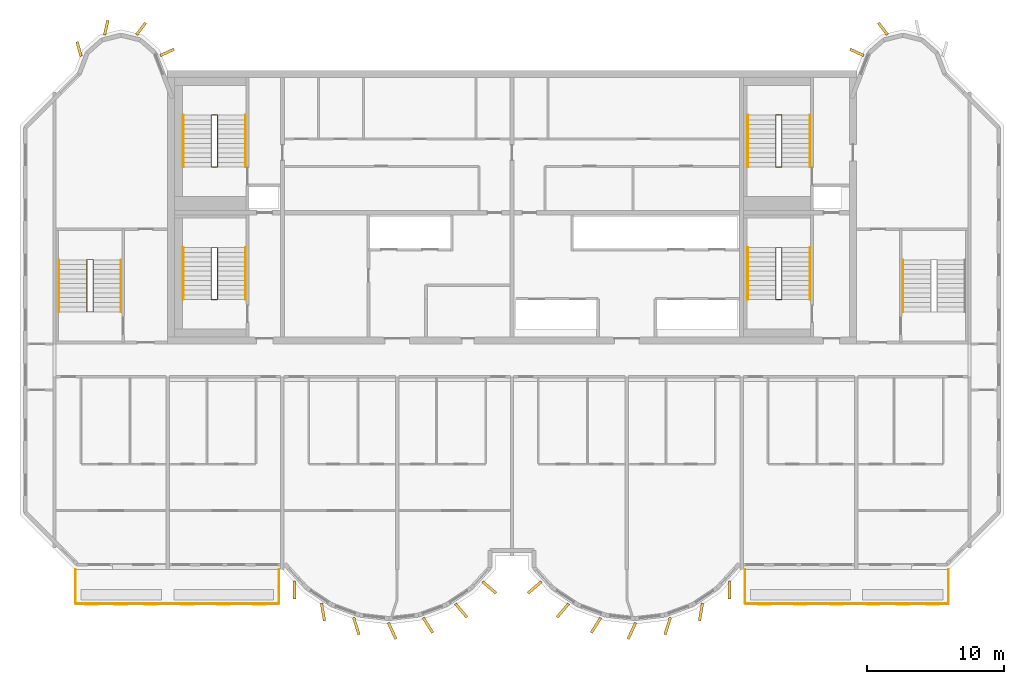
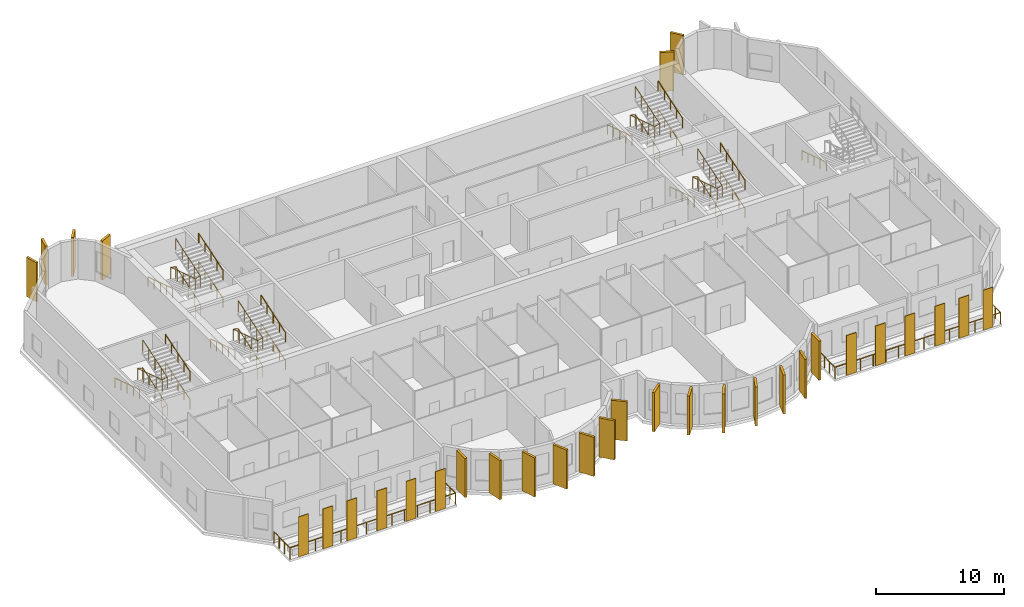
# One storey, part 10 of 12: 32 coverings, 23 railings.
"""IFC4 building model written with IfcOpenShell, lengths in metres."""

from ifc_helpers import new_model, si_unit, direction, frame, origin, origin_2d, place, context, subcontext, project, spatial, rectangle, circle, extrude, source, transform, mapped, material, layer, layer_set, material_profile, profile_set, type_object, element, save


model = new_model("IFC4")

# Units and contexts
model_context = context("Model", 3, precision=1e-05, world=origin(), true_north=direction((0.0, 1.0)))
body_context = subcontext(model_context, "Body", "Model", "MODEL_VIEW")
ifc_project = project(units=[si_unit("LENGTHUNIT", "METRE"), si_unit("AREAUNIT", "SQUARE_METRE"), si_unit("VOLUMEUNIT", "CUBIC_METRE"), si_unit("PLANEANGLEUNIT", "RADIAN"), si_unit("MASSUNIT", "GRAM", prefix="KILO")], contexts=[model_context])

# Site, building, storey
site_placement = place(None, origin())
site = spatial("IfcSite", under=ifc_project, at=site_placement, CompositionType="ELEMENT")
building_placement = place(site_placement, origin())
building = spatial("IfcBuilding", under=site, at=building_placement, Name="Vanashikhar Sky Hotel", CompositionType="ELEMENT")
storey_placement = place(building_placement, frame((0.0, 0.0, 281.699951171875)))
storey = spatial("IfcBuildingStorey", under=building, at=storey_placement, Name="L67", CompositionType="ELEMENT", Elevation=281.699951171875)

# Railings
ifc_material_1 = material(Name="Stainless steel 316", Category="steel")
railing_type_1 = type_object("IfcRailingType", Name="Balcony guard 1100", PredefinedType="GUARDRAIL", material=ifc_material_1)
shared_shape_1 = source(origin(), body_context, "Body", "SweptSolid", [
    extrude(circle(Radius=0.02392578125, at=origin_2d()), frame((0.0, 0.0, 1.076171875), z_axis=(0.0, -1.0, 0.0), x_axis=(1.0, 0.0, 0.0)), (0.0, 0.0, 1.0), 2.5),
    extrude(circle(Radius=0.02392578125, at=origin_2d()), frame((0.0, -2.5, 1.076171875), z_axis=(1.0, 0.0, 0.0), x_axis=(0.0, 1.0, 0.0)), (0.0, 0.0, 1.0), 14.880126953125),
    extrude(circle(Radius=0.02392578125, at=origin_2d()), frame((14.880126953125, -2.5, 1.076171875), z_axis=(0.0, 1.0, 0.0), x_axis=(-1.0, 0.0, 0.0)), (0.0, 0.0, 1.0), 2.5),
    extrude(circle(Radius=0.02099609375, at=origin_2d()), origin(), (0.0, 0.0, 1.0), 1.052001953125),
    extrude(circle(Radius=0.02099609375, at=origin_2d()), frame((0.0, -0.833251953125, 0.0)), (0.0, 0.0, 1.0), 1.052001953125),
    extrude(circle(Radius=0.02099609375, at=origin_2d()), frame((0.0, -1.666748046875, 0.0)), (0.0, 0.0, 1.0), 1.052001953125),
    extrude(circle(Radius=0.02099609375, at=origin_2d()), frame((0.0, -2.5, 0.0)), (0.0, 0.0, 1.0), 1.052001953125),
    extrude(circle(Radius=0.02099609375, at=origin_2d()), frame((1.14453125, -2.5, 0.0)), (0.0, 0.0, 1.0), 1.052001953125),
    extrude(circle(Radius=0.02099609375, at=origin_2d()), frame((2.289306640625, -2.5, 0.0)), (0.0, 0.0, 1.0), 1.052001953125),
    extrude(circle(Radius=0.02099609375, at=origin_2d()), frame((3.433837890625, -2.5, 0.0)), (0.0, 0.0, 1.0), 1.052001953125),
    extrude(circle(Radius=0.02099609375, at=origin_2d()), frame((4.57861328125, -2.5, 0.0)), (0.0, 0.0, 1.0), 1.052001953125),
    extrude(circle(Radius=0.02099609375, at=origin_2d()), frame((5.72314453125, -2.5, 0.0)), (0.0, 0.0, 1.0), 1.052001953125),
    extrude(circle(Radius=0.02099609375, at=origin_2d()), frame((6.86767578125, -2.5, 0.0)), (0.0, 0.0, 1.0), 1.052001953125),
    extrude(circle(Radius=0.02099609375, at=origin_2d()), frame((8.012451171875, -2.5, 0.0)), (0.0, 0.0, 1.0), 1.052001953125),
    extrude(circle(Radius=0.02099609375, at=origin_2d()), frame((9.156982421875, -2.5, 0.0)), (0.0, 0.0, 1.0), 1.052001953125),
    extrude(circle(Radius=0.02099609375, at=origin_2d()), frame((10.301513671875, -2.5, 0.0)), (0.0, 0.0, 1.0), 1.052001953125),
    extrude(circle(Radius=0.02099609375, at=origin_2d()), frame((11.4462890625, -2.5, 0.0)), (0.0, 0.0, 1.0), 1.052001953125),
    extrude(circle(Radius=0.02099609375, at=origin_2d()), frame((12.5908203125, -2.5, 0.0)), (0.0, 0.0, 1.0), 1.052001953125),
    extrude(circle(Radius=0.02099609375, at=origin_2d()), frame((13.735595703125, -2.5, 0.0)), (0.0, 0.0, 1.0), 1.052001953125),
    extrude(circle(Radius=0.02099609375, at=origin_2d()), frame((14.880126953125, -2.5, 0.0)), (0.0, 0.0, 1.0), 1.052001953125),
    extrude(circle(Radius=0.02099609375, at=origin_2d()), frame((14.880126953125, -1.666748046875, 0.0)), (0.0, 0.0, 1.0), 1.052001953125),
    extrude(circle(Radius=0.02099609375, at=origin_2d()), frame((14.880126953125, -0.833251953125, 0.0)), (0.0, 0.0, 1.0), 1.052001953125),
    extrude(circle(Radius=0.02099609375, at=origin_2d()), frame((14.880126953125, 0.0, 0.0)), (0.0, 0.0, 1.0), 1.052001953125),
])
for number, where, name in (
    (1, (18.4599609375, 5.5, -0.050048828125), "Balcony guard"),
    (2, (67.4599609375, 5.5, -0.050048828125), "Balcony guard"),
):
    element("IfcRailing", number, at=place(storey_placement, frame(where)), inside=storey, type_object=railing_type_1, Name=name, PredefinedType="GUARDRAIL", context=body_context, shape_type="MappedRepresentation", body=[
        mapped(shared_shape_1, transform((0.0, 0.0, 0.0), scale=1.0)),
    ])

# Coverings
ifc_material_2 = material(Name="Terracotta", Category="masonry")
ifc_layer = layer(ifc_material_2, 0.06005859375)
ifc_layer_set = layer_set([ifc_layer], Name="Terracotta baguette screen")
covering_type_1 = type_object("IfcCoveringType", Name="Terracotta baguette screen", PredefinedType="CLADDING", material=ifc_layer_set)
shared_shape_2 = source(origin(), body_context, "Body", "SweptSolid", [
    extrude(rectangle(XDim=0.89990234375, YDim=0.06005859375, at=origin_2d()), origin(), (0.0, 0.0, 1.0), 3.800048828125),
])
for number, where, z_axis, x_axis, name in (
    (3, (19.63330078125, 2.929931640625, -0.0498046875), (0.0, 0.0, 1.0), (1.0, 0.0, 0.0), "Terracotta screen"),
    (4, (21.800048828125, 2.929931640625, -0.0498046875), (0.0, 0.0, 1.0), (1.0, 0.0, 0.0), "Terracotta screen"),
    (5, (23.966796875, 2.929931640625, -0.0498046875), (0.0, 0.0, 1.0), (1.0, 0.0, 0.0), "Terracotta screen"),
    (6, (26.666748046875, 2.929931640625, -0.0498046875), (0.0, 0.0, 1.0), (1.0, 0.0, 0.0), "Terracotta screen"),
    (7, (29.300048828125, 2.929931640625, -0.0498046875), (0.0, 0.0, 1.0), (1.0, 0.0, 0.0), "Terracotta screen"),
    (8, (31.933349609375, 2.929931640625, -0.0498046875), (0.0, 0.0, 1.0), (1.0, 0.0, 0.0), "Terracotta screen"),
    (9, (68.86669921875, 2.929931640625, -0.0498046875), (0.0, 0.0, 1.0), (1.0, 0.0, 0.0), "Terracotta screen"),
    (10, (71.5, 2.929931640625, -0.0498046875), (0.0, 0.0, 1.0), (1.0, 0.0, 0.0), "Terracotta screen"),
    (11, (74.13330078125, 2.929931640625, -0.0498046875), (0.0, 0.0, 1.0), (1.0, 0.0, 0.0), "Terracotta screen"),
    (12, (76.833251953125, 2.929931640625, -0.0498046875), (0.0, 0.0, 1.0), (1.0, 0.0, 0.0), "Terracotta screen"),
    (13, (79.0, 2.929931640625, -0.0498046875), (0.0, 0.0, 1.0), (1.0, 0.0, 0.0), "Terracotta screen"),
    (14, (81.166748046875, 2.929931640625, -0.0498046875), (0.0, 0.0, 1.0), (1.0, 0.0, 0.0), "Terracotta screen"),
):
    element("IfcCovering", number, at=place(storey_placement, frame(where, z_axis=z_axis, x_axis=x_axis)), inside=storey, type_object=covering_type_1, Name=name, PredefinedType="CLADDING", context=body_context, shape_type="MappedRepresentation", body=[
        mapped(shared_shape_2, transform((0.0, 0.0, 0.0), scale=1.0)),
    ])
ifc_material_3 = material(Name="Concrete M60 dark", Category="concrete")
ifc_material_profile_1 = material_profile(ifc_material_3, rectangle(XDim=1.300048828125, YDim=0.199951171875, at=origin_2d()))
ifc_profile_set_1 = profile_set([ifc_material_profile_1], Name="Fin 1300 x 200")
covering_type_2 = type_object("IfcCoveringType", Name="Fin 1300 x 200", PredefinedType="CLADDING", material=ifc_profile_set_1)
shared_shape_3 = source(origin(), body_context, "Body", "SweptSolid", [
    extrude(rectangle(XDim=1.300048828125, YDim=0.199951171875, at=origin_2d()), origin(), (0.0, 0.0, 1.0), 3.719970703125),
])
for number, where, z_axis, x_axis, name in (
    (15, (34.482421875, 3.992919921875, 0.0), (0.0, 0.0, 1.0), (0.011588726826, -0.999932848451, 0.0), "Fin F1-1"),
    (16, (36.572509765625, 2.3779296875, 0.0), (0.0, 0.0, 1.0), (0.16989991575, -0.985461322746, 0.0), "Fin F1-2"),
    (17, (39.00830078125, 1.35693359375, 0.0), (0.0, 0.0, 1.0), (0.303966551867, -0.952682704444, 0.0), "Fin F1-3"),
    (18, (41.63232421875, 1.00146484375, 0.0), (0.0, 0.0, 1.0), (0.422618261741, -0.906307787037, 0.0), "Fin F1-4"),
    (19, (44.251953125, 1.416015625, 0.0), (0.0, 0.0, 1.0), (0.534411358496, -0.845224526331, 0.0), "Fin F1-5"),
    (20, (46.676025390625, 2.5, 0.0), (0.0, 0.0, 1.0), (0.645697609467, -0.763593214433, 0.0), "Fin F1-6"),
    (21, (48.7412109375, 4.1845703125, 0.0), (0.0, 0.0, 1.0), (0.758543912032, -0.65162192529, 0.0), "Fin F1-7"),
    (22, (52.058837890625, 4.1845703125, 0.0), (0.0, 0.0, 1.0), (-0.758543912032, -0.65162192529, 0.0), "Fin F2-1"),
    (23, (54.123779296875, 2.5, 0.0), (0.0, 0.0, 1.0), (-0.645697609467, -0.763593214433, 0.0), "Fin F2-2"),
    (24, (56.547119140625, 1.416015625, 0.0), (0.0, 0.0, 1.0), (-0.534411358496, -0.845224526331, 0.0), "Fin F2-3"),
    (25, (59.16748046875, 1.00146484375, 0.0), (0.0, 0.0, 1.0), (-0.422618261741, -0.906307787037, 0.0), "Fin F2-4"),
    (26, (61.790771484375, 1.35693359375, 0.0), (0.0, 0.0, 1.0), (-0.303966551867, -0.952682704444, 0.0), "Fin F2-5"),
    (27, (64.2275390625, 2.3779296875, 0.0), (0.0, 0.0, 1.0), (-0.16989991575, -0.985461322746, 0.0), "Fin F2-6"),
    (28, (66.317626953125, 3.992919921875, 0.0), (0.0, 0.0, 1.0), (-0.011588726826, -0.999932848451, 0.0), "Fin F2-7"),
):
    element("IfcCovering", number, at=place(storey_placement, frame(where, z_axis=z_axis, x_axis=x_axis)), inside=storey, type_object=covering_type_2, Name=name, PredefinedType="CLADDING", context=body_context, shape_type="MappedRepresentation", body=[
        mapped(shared_shape_3, transform((0.0, 0.0, 0.0), scale=1.0)),
    ])
ifc_material_profile_2 = material_profile(ifc_material_3, rectangle(XDim=1.10009765625, YDim=0.199951171875, at=origin_2d()))
ifc_profile_set_2 = profile_set([ifc_material_profile_2], Name="Rear lobe fin 1100 x 200")
covering_type_3 = type_object("IfcCoveringType", Name="Rear lobe fin 1100 x 200", PredefinedType="CLADDING", material=ifc_profile_set_2)
shared_shape_4 = source(origin(), body_context, "Body", "SweptSolid", [
    extrude(rectangle(XDim=1.10009765625, YDim=0.199951171875, at=origin_2d()), origin(), (0.0, 0.0, 1.0), 3.719970703125),
])
for number, where, z_axis, x_axis, name in (
    (29, (18.720703125, 43.580078125, 0.0), (0.0, 0.0, 1.0), (-0.262711264409, 0.964874495234, 0.0), "Fin R1-1"),
    (30, (20.710205078125, 45.1455078125, 0.0), (0.0, 0.0, 1.0), (0.224644935864, 0.974440687159, 0.0), "Fin R1-2"),
    (31, (23.261962890625, 45.06640625, 0.0), (0.0, 0.0, 1.0), (0.602065892195, 0.798446404874, 0.0), "Fin R1-3"),
    (32, (25.169677734375, 43.33447265625, 0.0), (0.0, 0.0, 1.0), (0.908004291068, 0.418960866193, 0.0), "Fin R1-4"),
    (33, (75.63037109375, 43.33447265625, 0.0), (0.0, 0.0, 1.0), (-0.908004291068, 0.418960866193, 0.0), "Fin R2-1"),
    (34, (77.5380859375, 45.06640625, 0.0), (0.0, 0.0, 1.0), (-0.602065892195, 0.798446404874, 0.0), "Fin R2-2"),
):
    element("IfcCovering", number, at=place(storey_placement, frame(where, z_axis=z_axis, x_axis=x_axis)), inside=storey, type_object=covering_type_3, Name=name, PredefinedType="CLADDING", context=body_context, shape_type="MappedRepresentation", body=[
        mapped(shared_shape_4, transform((0.0, 0.0, 0.0), scale=1.0)),
    ])

# Railings
ifc_material_4 = material(Name="Steel S355", Category="steel")
railing_type_2 = type_object("IfcRailingType", Name="Stair handrail 900", PredefinedType="HANDRAIL", material=ifc_material_4)
shared_shape_5 = source(origin(), body_context, "Body", "SweptSolid", [
    extrude(circle(Radius=0.02392578125, at=origin_2d()), frame((0.0, 0.0, 0.8759765625), z_axis=(0.0, 0.95197572919, 0.306173498254), x_axis=(-1.0, 0.0, 0.0)), (0.0, 0.0, 1.0), 3.99169921875),
    extrude(circle(Radius=0.02099609375, at=origin_2d()), origin(), (0.0, 0.0, 1.0), 0.851806640625),
    extrude(circle(Radius=0.02099609375, at=origin_2d()), frame((0.0, 0.949951171875, 0.3056640625)), (0.0, 0.0, 1.0), 0.851806640625),
    extrude(circle(Radius=0.02099609375, at=origin_2d()), frame((0.0, 1.89990234375, 0.611083984375)), (0.0, 0.0, 1.0), 0.851806640625),
    extrude(circle(Radius=0.02099609375, at=origin_2d()), frame((0.0, 2.85009765625, 0.91650390625)), (0.0, 0.0, 1.0), 0.851806640625),
    extrude(circle(Radius=0.02099609375, at=origin_2d()), frame((0.0, 3.800048828125, 1.22216796875)), (0.0, 0.0, 1.0), 0.851806640625),
])
for number, where, name in (
    (35, (30.89990234375, 25.25, 2.77783203125), "Exit stair 1 handrail"),
    (36, (72.199951171875, 25.25, 2.77783203125), "Exit stair 2 handrail"),
    (37, (30.89990234375, 34.949951171875, 2.77783203125), "Exit stair 5 handrail"),
    (38, (72.199951171875, 34.949951171875, 2.77783203125), "Exit stair 6 handrail"),
):
    element("IfcRailing", number, at=place(storey_placement, frame(where)), inside=storey, type_object=railing_type_2, Name=name, PredefinedType="HANDRAIL", context=body_context, shape_type="MappedRepresentation", body=[
        mapped(shared_shape_5, transform((0.0, 0.0, 0.0), scale=1.0)),
    ])
shared_shape_6 = source(origin(), body_context, "Body", "SweptSolid", [
    extrude(circle(Radius=0.02392578125, at=origin_2d()), frame((0.0, 0.0, 0.8759765625), z_axis=(0.0, -0.95197572919, 0.306173498254), x_axis=(1.0, 0.0, 0.0)), (0.0, 0.0, 1.0), 3.99169921875),
    extrude(circle(Radius=0.02099609375, at=origin_2d()), origin(), (0.0, 0.0, 1.0), 0.851806640625),
    extrude(circle(Radius=0.02099609375, at=origin_2d()), frame((0.0, -0.949951171875, 0.3056640625)), (0.0, 0.0, 1.0), 0.851806640625),
    extrude(circle(Radius=0.02099609375, at=origin_2d()), frame((0.0, -1.89990234375, 0.611083984375)), (0.0, 0.0, 1.0), 0.851806640625),
    extrude(circle(Radius=0.02099609375, at=origin_2d()), frame((0.0, -2.85009765625, 0.91650390625)), (0.0, 0.0, 1.0), 0.851806640625),
    extrude(circle(Radius=0.02099609375, at=origin_2d()), frame((0.0, -3.800048828125, 1.22216796875)), (0.0, 0.0, 1.0), 0.851806640625),
])
for number, where, name in (
    (39, (26.35009765625, 29.050048828125, 1.444580078125), "Exit stair 1 handrail"),
    (40, (67.64990234375, 29.050048828125, 1.444580078125), "Exit stair 2 handrail"),
    (41, (26.35009765625, 38.75, 1.444580078125), "Exit stair 5 handrail"),
    (42, (67.64990234375, 38.75, 1.444580078125), "Exit stair 6 handrail"),
):
    element("IfcRailing", number, at=place(storey_placement, frame(where)), inside=storey, type_object=railing_type_2, Name=name, PredefinedType="HANDRAIL", context=body_context, shape_type="MappedRepresentation", body=[
        mapped(shared_shape_6, transform((0.0, 0.0, 0.0), scale=1.0)),
    ])
railing_type_3 = type_object("IfcRailingType", Name="Stair guard 1100", PredefinedType="GUARDRAIL", material=ifc_material_4)
shared_shape_7 = source(origin(), body_context, "Body", "SweptSolid", [
    extrude(circle(Radius=0.02392578125, at=origin_2d()), frame((0.0, 0.0, 1.076171875), z_axis=(0.970881249867, 0.0, 0.239561262847), x_axis=(0.0, 1.0, 0.0)), (0.0, 0.0, 1.0), 0.463623046875),
    extrude(circle(Radius=0.02392578125, at=origin_2d()), frame((0.4501953125, 0.0, 1.18701171875), z_axis=(0.0, 0.95195790124, 0.306228924607), x_axis=(-1.0, 0.0, 0.0)), (0.0, 0.0, 1.0), 3.991943359375),
    extrude(circle(Radius=0.02392578125, at=origin_2d()), frame((0.4501953125, 3.800048828125, 2.40966796875), z_axis=(-0.970881249867, 0.0, 0.239561262847), x_axis=(0.0, -1.0, 0.0)), (0.0, 0.0, 1.0), 0.463623046875),
    extrude(circle(Radius=0.02392578125, at=origin_2d()), frame((0.0, 3.800048828125, 2.5205078125), z_axis=(0.0, -0.95197572919, 0.306173498254), x_axis=(1.0, 0.0, 0.0)), (0.0, 0.0, 1.0), 3.99169921875),
    extrude(circle(Radius=0.02392578125, at=origin_2d()), frame((0.0, 0.0, 3.74267578125), z_axis=(0.970881249867, 0.0, 0.239561262847), x_axis=(0.0, 1.0, 0.0)), (0.0, 0.0, 1.0), 0.463623046875),
    extrude(circle(Radius=0.02392578125, at=origin_2d()), frame((0.4501953125, 0.0, 3.85400390625), z_axis=(0.0, 0.95197572919, 0.306173498254), x_axis=(-1.0, 0.0, 0.0)), (0.0, 0.0, 1.0), 3.99169921875),
    extrude(circle(Radius=0.02099609375, at=origin_2d()), origin(), (0.0, 0.0, 1.0), 1.052001953125),
    extrude(circle(Radius=0.02099609375, at=origin_2d()), frame((0.4501953125, 0.0, 0.111083984375)), (0.0, 0.0, 1.0), 1.052001953125),
    extrude(circle(Radius=0.02099609375, at=origin_2d()), frame((0.4501953125, 0.949951171875, 0.416748046875)), (0.0, 0.0, 1.0), 1.052001953125),
    extrude(circle(Radius=0.02099609375, at=origin_2d()), frame((0.4501953125, 1.89990234375, 0.72216796875)), (0.0, 0.0, 1.0), 1.052001953125),
    extrude(circle(Radius=0.02099609375, at=origin_2d()), frame((0.4501953125, 2.85009765625, 1.02783203125)), (0.0, 0.0, 1.0), 1.052001953125),
    extrude(circle(Radius=0.02099609375, at=origin_2d()), frame((0.4501953125, 3.800048828125, 1.33349609375)), (0.0, 0.0, 1.0), 1.052001953125),
    extrude(circle(Radius=0.02099609375, at=origin_2d()), frame((0.0, 3.800048828125, 1.444580078125)), (0.0, 0.0, 1.0), 1.052001953125),
    extrude(circle(Radius=0.02099609375, at=origin_2d()), frame((0.0, 2.85009765625, 1.75)), (0.0, 0.0, 1.0), 1.052001953125),
    extrude(circle(Radius=0.02099609375, at=origin_2d()), frame((0.0, 1.89990234375, 2.0556640625)), (0.0, 0.0, 1.0), 1.052001953125),
    extrude(circle(Radius=0.02099609375, at=origin_2d()), frame((0.0, 0.949951171875, 2.361328125)), (0.0, 0.0, 1.0), 1.052001953125),
    extrude(circle(Radius=0.02099609375, at=origin_2d()), frame((0.0, 0.0, 2.666748046875)), (0.0, 0.0, 1.0), 1.052001953125),
    extrude(circle(Radius=0.02099609375, at=origin_2d()), frame((0.4501953125, 0.0, 2.77783203125)), (0.0, 0.0, 1.0), 1.052001953125),
    extrude(circle(Radius=0.02099609375, at=origin_2d()), frame((0.4501953125, 0.949951171875, 3.08349609375)), (0.0, 0.0, 1.0), 1.052001953125),
    extrude(circle(Radius=0.02099609375, at=origin_2d()), frame((0.4501953125, 1.89990234375, 3.388916015625)), (0.0, 0.0, 1.0), 1.052001953125),
    extrude(circle(Radius=0.02099609375, at=origin_2d()), frame((0.4501953125, 2.85009765625, 3.6943359375)), (0.0, 0.0, 1.0), 1.052001953125),
    extrude(circle(Radius=0.02099609375, at=origin_2d()), frame((0.4501953125, 3.800048828125, 4.0)), (0.0, 0.0, 1.0), 1.052001953125),
])
for number, where, name in (
    (43, (28.39990234375, 25.25, 0.0), "Exit stair 1 guard"),
    (44, (28.39990234375, 34.949951171875, 0.0), "Exit stair 5 guard"),
):
    element("IfcRailing", number, at=place(storey_placement, frame(where)), inside=storey, type_object=railing_type_3, Name=name, PredefinedType="GUARDRAIL", context=body_context, shape_type="MappedRepresentation", body=[
        mapped(shared_shape_7, transform((0.0, 0.0, 0.0), scale=1.0)),
    ])
shared_shape_8 = source(origin(), body_context, "Body", "SweptSolid", [
    extrude(circle(Radius=0.02392578125, at=origin_2d()), frame((0.0, 0.0, 0.8759765625), z_axis=(0.0, 0.95195790124, 0.306228924607), x_axis=(-1.0, 0.0, 0.0)), (0.0, 0.0, 1.0), 3.991943359375),
    extrude(circle(Radius=0.02099609375, at=origin_2d()), origin(), (0.0, 0.0, 1.0), 0.851806640625),
    extrude(circle(Radius=0.02099609375, at=origin_2d()), frame((0.0, 0.949951171875, 0.3056640625)), (0.0, 0.0, 1.0), 0.851806640625),
    extrude(circle(Radius=0.02099609375, at=origin_2d()), frame((0.0, 1.89990234375, 0.611328125)), (0.0, 0.0, 1.0), 0.851806640625),
    extrude(circle(Radius=0.02099609375, at=origin_2d()), frame((0.0, 2.85009765625, 0.916748046875)), (0.0, 0.0, 1.0), 0.851806640625),
    extrude(circle(Radius=0.02099609375, at=origin_2d()), frame((0.0, 3.800048828125, 1.222412109375)), (0.0, 0.0, 1.0), 0.851806640625),
])
for number, where, name in (
    (45, (30.89990234375, 25.25, 0.111083984375), "Exit stair 1 handrail"),
    (46, (72.199951171875, 25.25, 0.111083984375), "Exit stair 2 handrail"),
    (47, (30.89990234375, 34.949951171875, 0.111083984375), "Exit stair 5 handrail"),
    (48, (72.199951171875, 34.949951171875, 0.111083984375), "Exit stair 6 handrail"),
):
    element("IfcRailing", number, at=place(storey_placement, frame(where)), inside=storey, type_object=railing_type_2, Name=name, PredefinedType="HANDRAIL", context=body_context, shape_type="MappedRepresentation", body=[
        mapped(shared_shape_8, transform((0.0, 0.0, 0.0), scale=1.0)),
    ])
shared_shape_9 = source(origin(), body_context, "Body", "SweptSolid", [
    extrude(circle(Radius=0.02392578125, at=origin_2d()), frame((0.0, 0.0, 1.076171875), z_axis=(0.970851010584, 0.0, 0.239683781777), x_axis=(0.0, 1.0, 0.0)), (0.0, 0.0, 1.0), 0.46337890625),
    extrude(circle(Radius=0.02392578125, at=origin_2d()), frame((0.449951171875, 0.0, 1.18701171875), z_axis=(0.0, 0.95195790124, 0.306228924607), x_axis=(-1.0, 0.0, 0.0)), (0.0, 0.0, 1.0), 3.991943359375),
    extrude(circle(Radius=0.02392578125, at=origin_2d()), frame((0.449951171875, 3.800048828125, 2.40966796875), z_axis=(-0.970851010584, 0.0, 0.239683781777), x_axis=(0.0, -1.0, 0.0)), (0.0, 0.0, 1.0), 0.46337890625),
    extrude(circle(Radius=0.02392578125, at=origin_2d()), frame((0.0, 3.800048828125, 2.5205078125), z_axis=(0.0, -0.95197572919, 0.306173498254), x_axis=(1.0, 0.0, 0.0)), (0.0, 0.0, 1.0), 3.99169921875),
    extrude(circle(Radius=0.02392578125, at=origin_2d()), frame((0.0, 0.0, 3.74267578125), z_axis=(0.970851010584, 0.0, 0.239683781777), x_axis=(0.0, 1.0, 0.0)), (0.0, 0.0, 1.0), 0.46337890625),
    extrude(circle(Radius=0.02392578125, at=origin_2d()), frame((0.449951171875, 0.0, 3.85400390625), z_axis=(0.0, 0.95197572919, 0.306173498254), x_axis=(-1.0, 0.0, 0.0)), (0.0, 0.0, 1.0), 3.99169921875),
    extrude(circle(Radius=0.02099609375, at=origin_2d()), origin(), (0.0, 0.0, 1.0), 1.052001953125),
    extrude(circle(Radius=0.02099609375, at=origin_2d()), frame((0.449951171875, 0.0, 0.111083984375)), (0.0, 0.0, 1.0), 1.052001953125),
    extrude(circle(Radius=0.02099609375, at=origin_2d()), frame((0.449951171875, 0.949951171875, 0.416748046875)), (0.0, 0.0, 1.0), 1.052001953125),
    extrude(circle(Radius=0.02099609375, at=origin_2d()), frame((0.449951171875, 1.89990234375, 0.72216796875)), (0.0, 0.0, 1.0), 1.052001953125),
    extrude(circle(Radius=0.02099609375, at=origin_2d()), frame((0.449951171875, 2.85009765625, 1.02783203125)), (0.0, 0.0, 1.0), 1.052001953125),
    extrude(circle(Radius=0.02099609375, at=origin_2d()), frame((0.449951171875, 3.800048828125, 1.33349609375)), (0.0, 0.0, 1.0), 1.052001953125),
    extrude(circle(Radius=0.02099609375, at=origin_2d()), frame((0.0, 3.800048828125, 1.444580078125)), (0.0, 0.0, 1.0), 1.052001953125),
    extrude(circle(Radius=0.02099609375, at=origin_2d()), frame((0.0, 2.85009765625, 1.75)), (0.0, 0.0, 1.0), 1.052001953125),
    extrude(circle(Radius=0.02099609375, at=origin_2d()), frame((0.0, 1.89990234375, 2.0556640625)), (0.0, 0.0, 1.0), 1.052001953125),
    extrude(circle(Radius=0.02099609375, at=origin_2d()), frame((0.0, 0.949951171875, 2.361328125)), (0.0, 0.0, 1.0), 1.052001953125),
    extrude(circle(Radius=0.02099609375, at=origin_2d()), frame((0.0, 0.0, 2.666748046875)), (0.0, 0.0, 1.0), 1.052001953125),
    extrude(circle(Radius=0.02099609375, at=origin_2d()), frame((0.449951171875, 0.0, 2.77783203125)), (0.0, 0.0, 1.0), 1.052001953125),
    extrude(circle(Radius=0.02099609375, at=origin_2d()), frame((0.449951171875, 0.949951171875, 3.08349609375)), (0.0, 0.0, 1.0), 1.052001953125),
    extrude(circle(Radius=0.02099609375, at=origin_2d()), frame((0.449951171875, 1.89990234375, 3.388916015625)), (0.0, 0.0, 1.0), 1.052001953125),
    extrude(circle(Radius=0.02099609375, at=origin_2d()), frame((0.449951171875, 2.85009765625, 3.6943359375)), (0.0, 0.0, 1.0), 1.052001953125),
    extrude(circle(Radius=0.02099609375, at=origin_2d()), frame((0.449951171875, 3.800048828125, 4.0)), (0.0, 0.0, 1.0), 1.052001953125),
])
for number, where, name in (
    (49, (69.699951171875, 25.25, 0.0), "Exit stair 2 guard"),
    (50, (69.699951171875, 34.949951171875, 0.0), "Exit stair 6 guard"),
):
    element("IfcRailing", number, at=place(storey_placement, frame(where)), inside=storey, type_object=railing_type_3, Name=name, PredefinedType="GUARDRAIL", context=body_context, shape_type="MappedRepresentation", body=[
        mapped(shared_shape_9, transform((0.0, 0.0, 0.0), scale=1.0)),
    ])
shared_shape_10 = source(origin(), body_context, "Body", "SweptSolid", [
    extrude(circle(Radius=0.02392578125, at=origin_2d()), frame((0.0, 0.0, 0.8759765625), z_axis=(0.0, 0.951969995293, 0.306191325908), x_axis=(-1.0, 0.0, 0.0)), (0.0, 0.0, 1.0), 3.991455078125),
    extrude(circle(Radius=0.02099609375, at=origin_2d()), origin(), (0.0, 0.0, 1.0), 0.851806640625),
    extrude(circle(Radius=0.02099609375, at=origin_2d()), frame((0.0, 0.949951171875, 0.3056640625)), (0.0, 0.0, 1.0), 0.851806640625),
    extrude(circle(Radius=0.02099609375, at=origin_2d()), frame((0.0, 1.89990234375, 0.611083984375)), (0.0, 0.0, 1.0), 0.851806640625),
    extrude(circle(Radius=0.02099609375, at=origin_2d()), frame((0.0, 2.849853515625, 0.91650390625)), (0.0, 0.0, 1.0), 0.851806640625),
    extrude(circle(Radius=0.02099609375, at=origin_2d()), frame((0.0, 3.7998046875, 1.22216796875)), (0.0, 0.0, 1.0), 0.851806640625),
])
railing_1_placement = place(storey_placement, frame((21.800048828125, 24.35009765625, 2.77783203125)))
element("IfcRailing", 51, at=railing_1_placement, inside=storey, type_object=railing_type_2, Name="Exit stair 3 handrail", PredefinedType="HANDRAIL", context=body_context, shape_type="MappedRepresentation", body=[
    mapped(shared_shape_10, transform((0.0, 0.0, 0.0), scale=1.0)),
])
shared_shape_11 = source(origin(), body_context, "Body", "SweptSolid", [
    extrude(circle(Radius=0.02392578125, at=origin_2d()), frame((0.0, 0.0, 0.8759765625), z_axis=(0.0, -0.951969995293, 0.306191325908), x_axis=(1.0, 0.0, 0.0)), (0.0, 0.0, 1.0), 3.991455078125),
    extrude(circle(Radius=0.02099609375, at=origin_2d()), origin(), (0.0, 0.0, 1.0), 0.851806640625),
    extrude(circle(Radius=0.02099609375, at=origin_2d()), frame((0.0, -0.949951171875, 0.3056640625)), (0.0, 0.0, 1.0), 0.851806640625),
    extrude(circle(Radius=0.02099609375, at=origin_2d()), frame((0.0, -1.89990234375, 0.611083984375)), (0.0, 0.0, 1.0), 0.851806640625),
    extrude(circle(Radius=0.02099609375, at=origin_2d()), frame((0.0, -2.849853515625, 0.91650390625)), (0.0, 0.0, 1.0), 0.851806640625),
    extrude(circle(Radius=0.02099609375, at=origin_2d()), frame((0.0, -3.7998046875, 1.22216796875)), (0.0, 0.0, 1.0), 0.851806640625),
])
for number, where, name in (
    (52, (17.25, 28.14990234375, 1.444580078125), "Exit stair 3 handrail"),
    (53, (79.0, 28.14990234375, 1.444580078125), "Exit stair 4 handrail"),
):
    element("IfcRailing", number, at=place(storey_placement, frame(where)), inside=storey, type_object=railing_type_2, Name=name, PredefinedType="HANDRAIL", context=body_context, shape_type="MappedRepresentation", body=[
        mapped(shared_shape_11, transform((0.0, 0.0, 0.0), scale=1.0)),
    ])
shared_shape_12 = source(origin(), body_context, "Body", "SweptSolid", [
    extrude(circle(Radius=0.02392578125, at=origin_2d()), frame((0.0, 0.0, 1.076171875), z_axis=(0.970851010584, 0.0, 0.239683781777), x_axis=(0.0, 1.0, 0.0)), (0.0, 0.0, 1.0), 0.46337890625),
    extrude(circle(Radius=0.02392578125, at=origin_2d()), frame((0.449951171875, 0.0, 1.18701171875), z_axis=(0.0, 0.951952165375, 0.306246754821), x_axis=(-1.0, 0.0, 0.0)), (0.0, 0.0, 1.0), 3.99169921875),
    extrude(circle(Radius=0.02392578125, at=origin_2d()), frame((0.449951171875, 3.7998046875, 2.40966796875), z_axis=(-0.970851010584, 0.0, 0.239683781777), x_axis=(0.0, -1.0, 0.0)), (0.0, 0.0, 1.0), 0.46337890625),
    extrude(circle(Radius=0.02392578125, at=origin_2d()), frame((0.0, 3.7998046875, 2.5205078125), z_axis=(0.0, -0.951969995293, 0.306191325908), x_axis=(1.0, 0.0, 0.0)), (0.0, 0.0, 1.0), 3.991455078125),
    extrude(circle(Radius=0.02392578125, at=origin_2d()), frame((0.0, 0.0, 3.74267578125), z_axis=(0.970851010584, 0.0, 0.239683781777), x_axis=(0.0, 1.0, 0.0)), (0.0, 0.0, 1.0), 0.46337890625),
    extrude(circle(Radius=0.02392578125, at=origin_2d()), frame((0.449951171875, 0.0, 3.85400390625), z_axis=(0.0, 0.951969995293, 0.306191325908), x_axis=(-1.0, 0.0, 0.0)), (0.0, 0.0, 1.0), 3.991455078125),
    extrude(circle(Radius=0.02099609375, at=origin_2d()), origin(), (0.0, 0.0, 1.0), 1.052001953125),
    extrude(circle(Radius=0.02099609375, at=origin_2d()), frame((0.449951171875, 0.0, 0.111083984375)), (0.0, 0.0, 1.0), 1.052001953125),
    extrude(circle(Radius=0.02099609375, at=origin_2d()), frame((0.449951171875, 0.949951171875, 0.416748046875)), (0.0, 0.0, 1.0), 1.052001953125),
    extrude(circle(Radius=0.02099609375, at=origin_2d()), frame((0.449951171875, 1.89990234375, 0.72216796875)), (0.0, 0.0, 1.0), 1.052001953125),
    extrude(circle(Radius=0.02099609375, at=origin_2d()), frame((0.449951171875, 2.849853515625, 1.02783203125)), (0.0, 0.0, 1.0), 1.052001953125),
    extrude(circle(Radius=0.02099609375, at=origin_2d()), frame((0.449951171875, 3.7998046875, 1.33349609375)), (0.0, 0.0, 1.0), 1.052001953125),
    extrude(circle(Radius=0.02099609375, at=origin_2d()), frame((0.0, 3.7998046875, 1.444580078125)), (0.0, 0.0, 1.0), 1.052001953125),
    extrude(circle(Radius=0.02099609375, at=origin_2d()), frame((0.0, 2.849853515625, 1.75)), (0.0, 0.0, 1.0), 1.052001953125),
    extrude(circle(Radius=0.02099609375, at=origin_2d()), frame((0.0, 1.89990234375, 2.0556640625)), (0.0, 0.0, 1.0), 1.052001953125),
    extrude(circle(Radius=0.02099609375, at=origin_2d()), frame((0.0, 0.949951171875, 2.361328125)), (0.0, 0.0, 1.0), 1.052001953125),
    extrude(circle(Radius=0.02099609375, at=origin_2d()), frame((0.0, 0.0, 2.666748046875)), (0.0, 0.0, 1.0), 1.052001953125),
    extrude(circle(Radius=0.02099609375, at=origin_2d()), frame((0.449951171875, 0.0, 2.77783203125)), (0.0, 0.0, 1.0), 1.052001953125),
    extrude(circle(Radius=0.02099609375, at=origin_2d()), frame((0.449951171875, 0.949951171875, 3.08349609375)), (0.0, 0.0, 1.0), 1.052001953125),
    extrude(circle(Radius=0.02099609375, at=origin_2d()), frame((0.449951171875, 1.89990234375, 3.388916015625)), (0.0, 0.0, 1.0), 1.052001953125),
    extrude(circle(Radius=0.02099609375, at=origin_2d()), frame((0.449951171875, 2.849853515625, 3.6943359375)), (0.0, 0.0, 1.0), 1.052001953125),
    extrude(circle(Radius=0.02099609375, at=origin_2d()), frame((0.449951171875, 3.7998046875, 4.0)), (0.0, 0.0, 1.0), 1.052001953125),
])
railing_2_placement = place(storey_placement, frame((19.300048828125, 24.35009765625, 0.0)))
element("IfcRailing", 54, at=railing_2_placement, inside=storey, type_object=railing_type_3, Name="Exit stair 3 guard", PredefinedType="GUARDRAIL", context=body_context, shape_type="MappedRepresentation", body=[
    mapped(shared_shape_12, transform((0.0, 0.0, 0.0), scale=1.0)),
])
shared_shape_13 = source(origin(), body_context, "Body", "SweptSolid", [
    extrude(circle(Radius=0.02392578125, at=origin_2d()), frame((0.0, 0.0, 0.8759765625), z_axis=(0.0, 0.951952165375, 0.306246754821), x_axis=(-1.0, 0.0, 0.0)), (0.0, 0.0, 1.0), 3.99169921875),
    extrude(circle(Radius=0.02099609375, at=origin_2d()), origin(), (0.0, 0.0, 1.0), 0.851806640625),
    extrude(circle(Radius=0.02099609375, at=origin_2d()), frame((0.0, 0.949951171875, 0.3056640625)), (0.0, 0.0, 1.0), 0.851806640625),
    extrude(circle(Radius=0.02099609375, at=origin_2d()), frame((0.0, 1.89990234375, 0.611328125)), (0.0, 0.0, 1.0), 0.851806640625),
    extrude(circle(Radius=0.02099609375, at=origin_2d()), frame((0.0, 2.849853515625, 0.916748046875)), (0.0, 0.0, 1.0), 0.851806640625),
    extrude(circle(Radius=0.02099609375, at=origin_2d()), frame((0.0, 3.7998046875, 1.222412109375)), (0.0, 0.0, 1.0), 0.851806640625),
])
railing_3_placement = place(storey_placement, frame((21.800048828125, 24.35009765625, 0.111083984375)))
element("IfcRailing", 55, at=railing_3_placement, inside=storey, type_object=railing_type_2, Name="Exit stair 3 handrail", PredefinedType="HANDRAIL", context=body_context, shape_type="MappedRepresentation", body=[
    mapped(shared_shape_13, transform((0.0, 0.0, 0.0), scale=1.0)),
])

save(model, "model.ifc")
